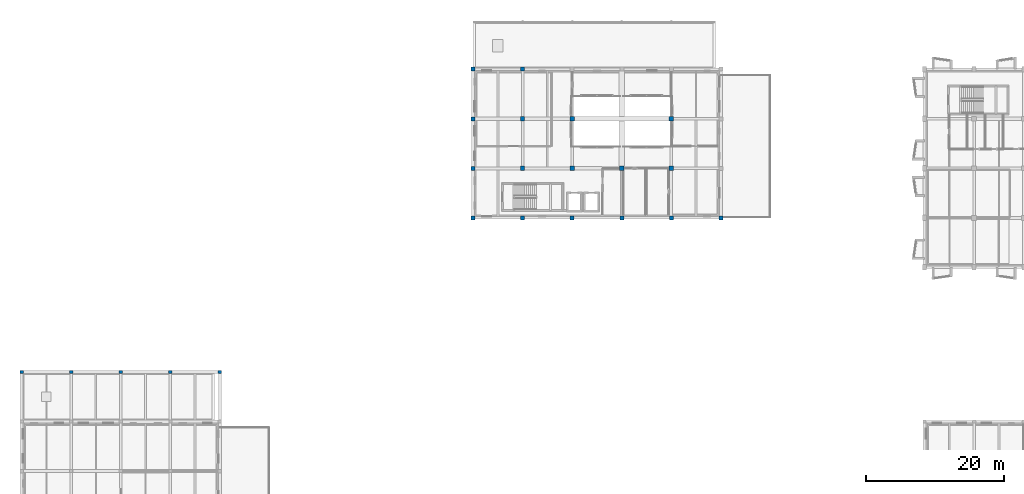
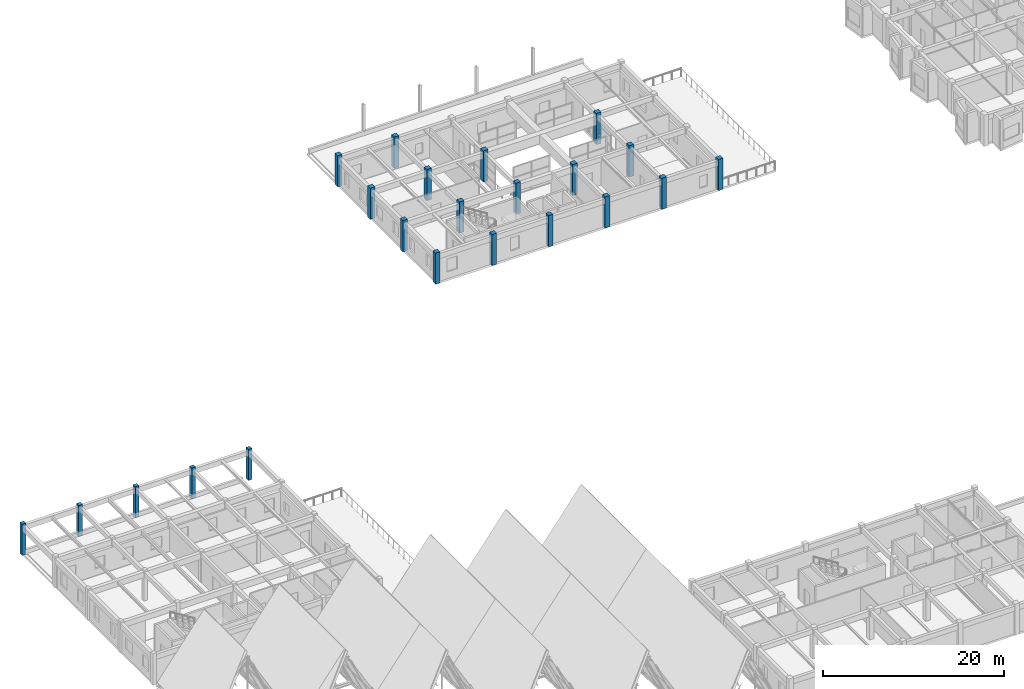
# One storey, part 3 of 99: 22 columns.
"""IFC4 building model written with IfcOpenShell, lengths in metres."""

from ifc_helpers import new_model, si_unit, direction, frame, origin, origin_2d, place, context, subcontext, project, spatial, rectangle, extrude, material, material_profile, profile_set, type_object, element, save


model = new_model("IFC4")

# Units and contexts
model_context = context("Model", 3, precision=1e-05, world=origin(), true_north=direction((0.0, 1.0)))
body_context = subcontext(model_context, "Body", "Model", "MODEL_VIEW")
ifc_project = project(units=[si_unit("LENGTHUNIT", "METRE"), si_unit("AREAUNIT", "SQUARE_METRE"), si_unit("VOLUMEUNIT", "CUBIC_METRE"), si_unit("PLANEANGLEUNIT", "RADIAN"), si_unit("MASSUNIT", "GRAM", prefix="KILO")], contexts=[model_context])

# Site, building, storey
site_placement = place(None, origin())
site = spatial("IfcSite", under=ifc_project, at=site_placement, CompositionType="ELEMENT")
building_placement = place(site_placement, origin())
building = spatial("IfcBuilding", under=site, at=building_placement, Name="Bramveld Media Centre", CompositionType="ELEMENT")
storey_placement = place(building_placement, frame((0.0, 0.0, 13.800048828125)))
storey = spatial("IfcBuildingStorey", under=building, at=storey_placement, Name="L03", CompositionType="ELEMENT", Elevation=13.800048828125)

# Columns
ifc_material_1 = material(Name="Concrete C40/50", Category="concrete")
ifc_material_profile_1 = material_profile(ifc_material_1, rectangle(XDim=0.47998046875, YDim=0.47998046875, at=origin_2d()), Name="RC 480x480")
ifc_profile_set_1 = profile_set([ifc_material_profile_1], Name="Concrete C40/50")
column_type_1 = type_object("IfcColumnType", Name="COL-EXT-RC-480x480", PredefinedType="COLUMN", material=ifc_profile_set_1)
for number, where, z_axis, x_axis, name in (
    (1, (0.0, 68.0, 0.0), (0.0, 0.0, 1.0), (1.0, 0.0, 0.0), "V3 L03 column RC 480x480"),
    (2, (7.199951171875, 68.0, 0.0), (0.0, 0.0, 1.0), (1.0, 0.0, 0.0), "V3 L03 column RC 480x480"),
    (3, (14.39990234375, 68.0, 0.0), (0.0, 0.0, 1.0), (1.0, 0.0, 0.0), "V3 L03 column RC 480x480"),
    (4, (21.60009765625, 68.0, 0.0), (0.0, 0.0, 1.0), (1.0, 0.0, 0.0), "V3 L03 column RC 480x480"),
    (5, (28.800048828125, 68.0, 0.0), (0.0, 0.0, 1.0), (1.0, 0.0, 0.0), "V3 L03 column RC 480x480"),
):
    element("IfcColumn", number, at=place(storey_placement, frame(where, z_axis=z_axis, x_axis=x_axis)), inside=storey, type_object=column_type_1, Name=name, PredefinedType="COLUMN", context=body_context, shape_type="SweptSolid", body=[
        extrude(rectangle(XDim=0.47998046875, YDim=0.47998046875, at=origin_2d()), origin(), (0.0, 0.0, 1.0), 4.199951171875),
    ])
ifc_material_2 = material(Name="Concrete C40/50", Category="concrete")
ifc_material_profile_2 = material_profile(ifc_material_2, rectangle(XDim=0.580078125, YDim=0.580078125, at=origin_2d()), Name="RC 580x580")
ifc_profile_set_2 = profile_set([ifc_material_profile_2], Name="Concrete C40/50")
column_type_2 = type_object("IfcColumnType", Name="COL-EXT-RC-580x580", PredefinedType="COLUMN", material=ifc_profile_set_2)
for number, where, z_axis, x_axis, name in (
    (6, (65.60009765625, 90.39990234375, 0.0), (0.0, 0.0, 1.0), (1.0, 0.0, 0.0), "V6 L03 column RC 580x580"),
    (7, (65.60009765625, 97.60009765625, 0.0), (0.0, 0.0, 1.0), (1.0, 0.0, 0.0), "V6 L03 column RC 580x580"),
    (8, (65.60009765625, 104.800048828125, 0.0), (0.0, 0.0, 1.0), (1.0, 0.0, 0.0), "V6 L03 column RC 580x580"),
    (9, (65.60009765625, 112.0, 0.0), (0.0, 0.0, 1.0), (1.0, 0.0, 0.0), "V6 L03 column RC 580x580"),
    (10, (72.800048828125, 90.39990234375, 0.0), (0.0, 0.0, 1.0), (1.0, 0.0, 0.0), "V6 L03 column RC 580x580"),
    (11, (72.800048828125, 112.0, 0.0), (0.0, 0.0, 1.0), (1.0, 0.0, 0.0), "V6 L03 column RC 580x580"),
    (12, (80.0, 90.39990234375, 0.0), (0.0, 0.0, 1.0), (1.0, 0.0, 0.0), "V6 L03 column RC 580x580"),
    (13, (87.199951171875, 90.39990234375, 0.0), (0.0, 0.0, 1.0), (1.0, 0.0, 0.0), "V6 L03 column RC 580x580"),
    (14, (94.39990234375, 90.39990234375, 0.0), (0.0, 0.0, 1.0), (1.0, 0.0, 0.0), "V6 L03 column RC 580x580"),
    (15, (101.60009765625, 90.39990234375, 0.0), (0.0, 0.0, 1.0), (1.0, 0.0, 0.0), "V6 L03 column RC 580x580"),
):
    element("IfcColumn", number, at=place(storey_placement, frame(where, z_axis=z_axis, x_axis=x_axis)), inside=storey, type_object=column_type_2, Name=name, PredefinedType="COLUMN", context=body_context, shape_type="SweptSolid", body=[
        extrude(rectangle(XDim=0.580078125, YDim=0.580078125, at=origin_2d()), origin(), (0.0, 0.0, 1.0), 4.199951171875),
    ])
ifc_material_3 = material(Name="Concrete C40/50", Category="concrete")
ifc_material_profile_3 = material_profile(ifc_material_3, rectangle(XDim=0.60009765625, YDim=0.60009765625, at=origin_2d()), Name="RC 600x600")
ifc_profile_set_3 = profile_set([ifc_material_profile_3], Name="Concrete C40/50")
column_type_3 = type_object("IfcColumnType", Name="COL-INT-RC-600x600", PredefinedType="COLUMN", material=ifc_profile_set_3)
for number, where, z_axis, x_axis, name in (
    (16, (72.800048828125, 97.60009765625, 0.0), (0.0, 0.0, 1.0), (1.0, 0.0, 0.0), "V6 L03 column RC 600x600"),
    (17, (72.800048828125, 104.800048828125, 0.0), (0.0, 0.0, 1.0), (1.0, 0.0, 0.0), "V6 L03 column RC 600x600"),
    (18, (80.0, 97.60009765625, 0.0), (0.0, 0.0, 1.0), (1.0, 0.0, 0.0), "V6 L03 column RC 600x600"),
    (19, (80.0, 104.800048828125, 0.0), (0.0, 0.0, 1.0), (1.0, 0.0, 0.0), "V6 L03 column RC 600x600"),
    (20, (87.199951171875, 97.60009765625, 0.0), (0.0, 0.0, 1.0), (1.0, 0.0, 0.0), "V6 L03 column RC 600x600"),
    (21, (94.39990234375, 97.60009765625, 0.0), (0.0, 0.0, 1.0), (1.0, 0.0, 0.0), "V6 L03 column RC 600x600"),
    (22, (94.39990234375, 104.800048828125, 0.0), (0.0, 0.0, 1.0), (1.0, 0.0, 0.0), "V6 L03 column RC 600x600"),
):
    element("IfcColumn", number, at=place(storey_placement, frame(where, z_axis=z_axis, x_axis=x_axis)), inside=storey, type_object=column_type_3, Name=name, PredefinedType="COLUMN", context=body_context, shape_type="SweptSolid", body=[
        extrude(rectangle(XDim=0.60009765625, YDim=0.60009765625, at=origin_2d()), origin(), (0.0, 0.0, 1.0), 4.199951171875),
    ])

save(model, "model.ifc")
